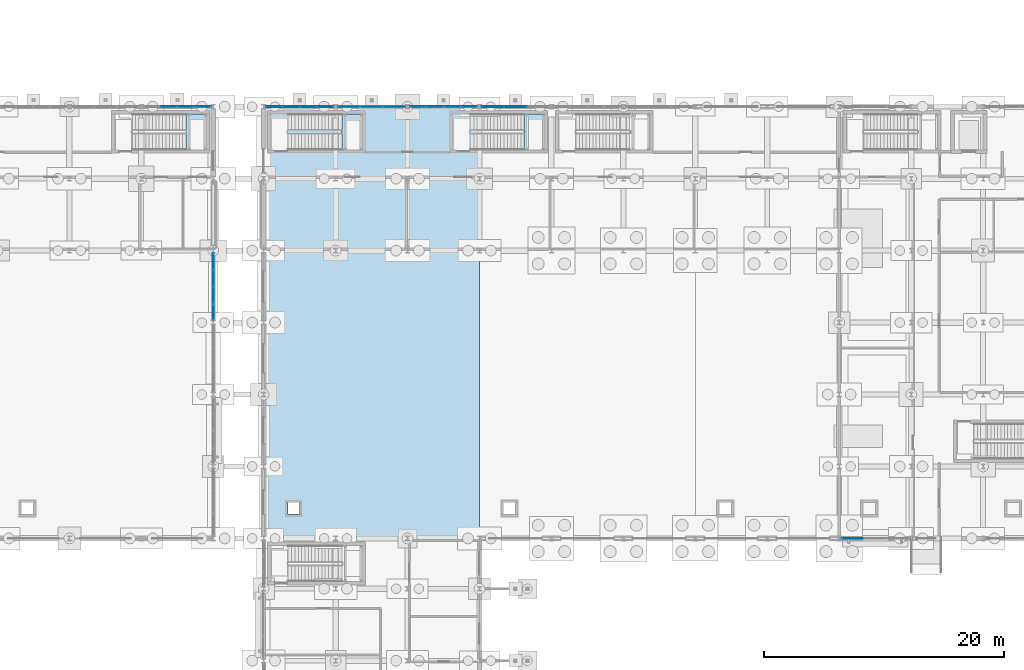
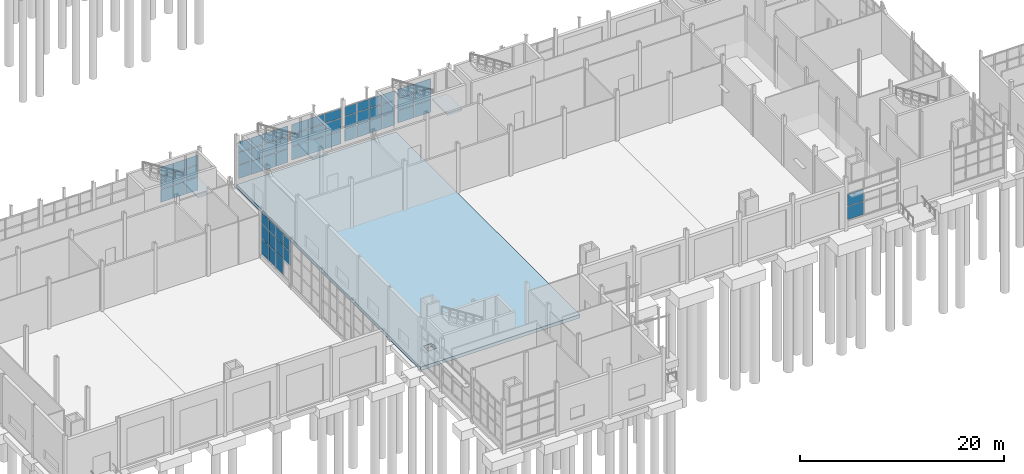
# One storey, part 68 of 120: 61 plates, 4 slabs, 10 elements without a shape of their own.
"""IFC4 building model written with IfcOpenShell, lengths in metres."""

from ifc_helpers import new_model, si_unit, direction, frame, origin, origin_2d, place, context, subcontext, project, spatial, polyline, rectangle, outline, extrude, material, layer, layer_set, type_object, element, aggregate, save


model = new_model("IFC4")

# Units and contexts
model_context = context("Model", 3, precision=1e-05, world=origin(), true_north=direction((0.0, 1.0)))
body_context = subcontext(model_context, "Body", "Model", "MODEL_VIEW")
ifc_project = project(units=[si_unit("LENGTHUNIT", "METRE"), si_unit("AREAUNIT", "SQUARE_METRE"), si_unit("VOLUMEUNIT", "CUBIC_METRE"), si_unit("PLANEANGLEUNIT", "RADIAN"), si_unit("MASSUNIT", "GRAM", prefix="KILO")], contexts=[model_context])

# Site, building, storey
site_placement = place(None, origin())
site = spatial("IfcSite", under=ifc_project, at=site_placement, CompositionType="ELEMENT")
building_placement = place(site_placement, origin())
building = spatial("IfcBuilding", under=site, at=building_placement, Name="Siltcreek Boulevard Central Fire Station", CompositionType="ELEMENT")
storey_placement = place(building_placement, origin())
storey = spatial("IfcBuildingStorey", under=building, at=storey_placement, Name="L01", CompositionType="ELEMENT", Elevation=0.0)

# Curtain wall, plates
ifc_material_1 = material(Name="Anodized aluminum and low-E insulated glazing", Category="aluminium")
curtain_wall_type_1 = type_object("IfcCurtainWallType", Name="CW_SYS_04", PredefinedType="USERDEFINED", material=ifc_material_1)
curtain_wall_1_placement = place(storey_placement, origin())
curtain_wall_1 = element("IfcCurtainWall", 1, at=curtain_wall_1_placement, inside=storey, type_object=curtain_wall_type_1, Name="L01 V1 unitised curtain wall CW-003", ObjectType="CURTAIN WALL", PredefinedType="USERDEFINED")
ifc_material_2 = material(Name="Low-E double insulated glass unit", Category="glass")
ifc_layer_1 = layer(ifc_material_2, 0.028076171875, Name="Low-E double insulated glass unit")
ifc_layer_set_1 = layer_set([ifc_layer_1], Name="Low-E double insulated glass unit")
plate_type_1 = type_object("IfcPlateType", Name="CWP_GLZ_1", PredefinedType="CURTAIN_PANEL", material=ifc_layer_set_1)
plate_1_placement = place(storey_placement, frame((52.888427734375, 54.0, 0.739990234375), z_axis=(0.0, 0.0, 1.0), x_axis=(-1.0, 0.0, 0.0)))
plate_1 = element("IfcPlate", 2, at=plate_1_placement, type_object=plate_type_1, Name="CW-003 panel 1.1", PredefinedType="CURTAIN_PANEL", context=body_context, shape_type="SweptSolid", body=[
    extrude(rectangle(XDim=1.813232421875, YDim=0.028076171875, at=origin_2d()), origin(), (0.0, 0.0, 1.0), 1.56494140625),
])
plate_2_placement = place(storey_placement, frame((52.888427734375, 54.0, 2.36474609375), z_axis=(0.0, 0.0, 1.0), x_axis=(-1.0, 0.0, 0.0)))
plate_2 = element("IfcPlate", 3, at=plate_2_placement, type_object=plate_type_1, Name="CW-003 panel 1.2", PredefinedType="CURTAIN_PANEL", context=body_context, shape_type="SweptSolid", body=[
    extrude(rectangle(XDim=1.813232421875, YDim=0.028076171875, at=origin_2d()), origin(), (0.0, 0.0, 1.0), 1.420654296875),
])
plate_3_placement = place(storey_placement, frame((52.888427734375, 54.0, 3.845703125), z_axis=(0.0, 0.0, 1.0), x_axis=(-1.0, 0.0, 0.0)))
plate_3 = element("IfcPlate", 4, at=plate_3_placement, type_object=plate_type_1, Name="CW-003 panel 1.3", PredefinedType="CURTAIN_PANEL", context=body_context, shape_type="SweptSolid", body=[
    extrude(rectangle(XDim=1.813232421875, YDim=0.028076171875, at=origin_2d()), origin(), (0.0, 0.0, 1.0), 1.12939453125),
])
plate_4_placement = place(storey_placement, frame((51.0, 54.0, 0.739990234375), z_axis=(0.0, 0.0, 1.0), x_axis=(-1.0, 0.0, 0.0)))
plate_4 = element("IfcPlate", 5, at=plate_4_placement, type_object=plate_type_1, Name="CW-003 panel 2.1", PredefinedType="CURTAIN_PANEL", context=body_context, shape_type="SweptSolid", body=[
    extrude(rectangle(XDim=1.84326171875, YDim=0.028076171875, at=origin_2d()), origin(), (0.0, 0.0, 1.0), 1.56494140625),
])
plate_5_placement = place(storey_placement, frame((51.0, 54.0, 2.36474609375), z_axis=(0.0, 0.0, 1.0), x_axis=(-1.0, 0.0, 0.0)))
plate_5 = element("IfcPlate", 6, at=plate_5_placement, type_object=plate_type_1, Name="CW-003 panel 2.2", PredefinedType="CURTAIN_PANEL", context=body_context, shape_type="SweptSolid", body=[
    extrude(rectangle(XDim=1.84326171875, YDim=0.028076171875, at=origin_2d()), origin(), (0.0, 0.0, 1.0), 1.420654296875),
])
plate_6_placement = place(storey_placement, frame((51.0, 54.0, 3.845703125), z_axis=(0.0, 0.0, 1.0), x_axis=(-1.0, 0.0, 0.0)))
plate_6 = element("IfcPlate", 7, at=plate_6_placement, type_object=plate_type_1, Name="CW-003 panel 2.3", PredefinedType="CURTAIN_PANEL", context=body_context, shape_type="SweptSolid", body=[
    extrude(rectangle(XDim=1.84326171875, YDim=0.028076171875, at=origin_2d()), origin(), (0.0, 0.0, 1.0), 1.12939453125),
])
plate_7_placement = place(storey_placement, frame((49.111572265625, 54.0, 0.739990234375), z_axis=(0.0, 0.0, 1.0), x_axis=(-1.0, 0.0, 0.0)))
plate_7 = element("IfcPlate", 8, at=plate_7_placement, type_object=plate_type_1, Name="CW-003 panel 3.1", PredefinedType="CURTAIN_PANEL", context=body_context, shape_type="SweptSolid", body=[
    extrude(rectangle(XDim=1.813232421875, YDim=0.028076171875, at=origin_2d()), origin(), (0.0, 0.0, 1.0), 1.56494140625),
])
plate_8_placement = place(storey_placement, frame((49.111572265625, 54.0, 2.36474609375), z_axis=(0.0, 0.0, 1.0), x_axis=(-1.0, 0.0, 0.0)))
plate_8 = element("IfcPlate", 9, at=plate_8_placement, type_object=plate_type_1, Name="CW-003 panel 3.2", PredefinedType="CURTAIN_PANEL", context=body_context, shape_type="SweptSolid", body=[
    extrude(rectangle(XDim=1.813232421875, YDim=0.028076171875, at=origin_2d()), origin(), (0.0, 0.0, 1.0), 1.420654296875),
])
plate_9_placement = place(storey_placement, frame((49.111572265625, 54.0, 3.845703125), z_axis=(0.0, 0.0, 1.0), x_axis=(-1.0, 0.0, 0.0)))
plate_9 = element("IfcPlate", 10, at=plate_9_placement, type_object=plate_type_1, Name="CW-003 panel 3.3", PredefinedType="CURTAIN_PANEL", context=body_context, shape_type="SweptSolid", body=[
    extrude(rectangle(XDim=1.813232421875, YDim=0.028076171875, at=origin_2d()), origin(), (0.0, 0.0, 1.0), 1.12939453125),
])
aggregate(curtain_wall_1, [plate_1, plate_2, plate_3, plate_4, plate_5, plate_6, plate_7, plate_8, plate_9])

curtain_wall_type_2 = type_object("IfcCurtainWallType", Name="CW_SYS_16", PredefinedType="USERDEFINED", material=ifc_material_1)
curtain_wall_2_placement = place(storey_placement, origin())
curtain_wall_2 = element("IfcCurtainWall", 11, at=curtain_wall_2_placement, inside=storey, type_object=curtain_wall_type_2, Name="L01 V2 unitised curtain wall CW-015", ObjectType="CURTAIN WALL", PredefinedType="USERDEFINED")
plate_10_placement = place(storey_placement, frame((91.111572265625, 18.0, 0.739990234375), z_axis=(0.0, 0.0, 1.0), x_axis=(1.0, 0.0, 0.0)))
plate_10 = element("IfcPlate", 12, at=plate_10_placement, type_object=plate_type_1, Name="CW-015 panel 1.1", PredefinedType="CURTAIN_PANEL", context=body_context, shape_type="SweptSolid", body=[
    extrude(rectangle(XDim=1.813232421875, YDim=0.028076171875, at=origin_2d()), origin(), (0.0, 0.0, 1.0), 1.56494140625),
])
plate_11_placement = place(storey_placement, frame((91.111572265625, 18.0, 2.36474609375), z_axis=(0.0, 0.0, 1.0), x_axis=(1.0, 0.0, 0.0)))
plate_11 = element("IfcPlate", 13, at=plate_11_placement, type_object=plate_type_1, Name="CW-015 panel 1.2", PredefinedType="CURTAIN_PANEL", context=body_context, shape_type="SweptSolid", body=[
    extrude(rectangle(XDim=1.813232421875, YDim=0.028076171875, at=origin_2d()), origin(), (0.0, 0.0, 1.0), 1.420654296875),
])
aggregate(curtain_wall_2, [plate_10, plate_11])

curtain_wall_type_3 = type_object("IfcCurtainWallType", Name="CW_SYS_05", PredefinedType="USERDEFINED", material=ifc_material_1)
curtain_wall_3_placement = place(storey_placement, origin())
curtain_wall_3 = element("IfcCurtainWall", 14, at=curtain_wall_3_placement, inside=storey, type_object=curtain_wall_type_3, Name="L01 V1 unitised curtain wall CW-004", ObjectType="CURTAIN WALL", PredefinedType="USERDEFINED")
ifc_layer_2 = layer(ifc_material_2, 0.0380859375, Name="Low-E double insulated glass unit")
ifc_layer_set_2 = layer_set([ifc_layer_2], Name="Low-E double insulated glass unit")
plate_type_2 = type_object("IfcPlateType", Name="CWP_GLZ_2", PredefinedType="CURTAIN_PANEL", material=ifc_layer_set_2)
plate_12_placement = place(storey_placement, frame((59.125, 54.0, 0.864990234375), z_axis=(0.0, 0.0, 1.0), x_axis=(-1.0, 0.0, 0.0)))
plate_12 = element("IfcPlate", 15, at=plate_12_placement, type_object=plate_type_2, Name="CW-004 panel 1.1", PredefinedType="CURTAIN_PANEL", context=body_context, shape_type="SweptSolid", body=[
    extrude(rectangle(XDim=1.330078125, YDim=0.0380859375, at=origin_2d()), origin(), (0.0, 0.0, 1.0), 1.51171875),
])
plate_13_placement = place(storey_placement, frame((59.125, 54.0, 2.441650390625), z_axis=(0.0, 0.0, 1.0), x_axis=(-1.0, 0.0, 0.0)))
plate_13 = element("IfcPlate", 16, at=plate_13_placement, type_object=plate_type_2, Name="CW-004 panel 1.2", PredefinedType="CURTAIN_PANEL", context=body_context, shape_type="SweptSolid", body=[
    extrude(rectangle(XDim=1.330078125, YDim=0.0380859375, at=origin_2d()), origin(), (0.0, 0.0, 1.0), 1.375),
])
plate_14_placement = place(storey_placement, frame((59.125, 54.0, 3.881591796875), z_axis=(0.0, 0.0, 1.0), x_axis=(-1.0, 0.0, 0.0)))
plate_14 = element("IfcPlate", 17, at=plate_14_placement, type_object=plate_type_2, Name="CW-004 panel 1.3", PredefinedType="CURTAIN_PANEL", context=body_context, shape_type="SweptSolid", body=[
    extrude(rectangle(XDim=1.330078125, YDim=0.0380859375, at=origin_2d()), origin(), (0.0, 0.0, 1.0), 1.08837890625),
])
plate_15_placement = place(storey_placement, frame((57.7138671875, 54.0, 0.864990234375), z_axis=(0.0, 0.0, 1.0), x_axis=(-1.0, 0.0, 0.0)))
plate_15 = element("IfcPlate", 18, at=plate_15_placement, type_object=plate_type_2, Name="CW-004 panel 2.1", PredefinedType="CURTAIN_PANEL", context=body_context, shape_type="SweptSolid", body=[
    extrude(rectangle(XDim=1.362548828125, YDim=0.0380859375, at=origin_2d()), origin(), (0.0, 0.0, 1.0), 1.51171875),
])
plate_16_placement = place(storey_placement, frame((57.7138671875, 54.0, 2.441650390625), z_axis=(0.0, 0.0, 1.0), x_axis=(-1.0, 0.0, 0.0)))
plate_16 = element("IfcPlate", 19, at=plate_16_placement, type_object=plate_type_2, Name="CW-004 panel 2.2", PredefinedType="CURTAIN_PANEL", context=body_context, shape_type="SweptSolid", body=[
    extrude(rectangle(XDim=1.362548828125, YDim=0.0380859375, at=origin_2d()), origin(), (0.0, 0.0, 1.0), 1.375),
])
plate_17_placement = place(storey_placement, frame((57.7138671875, 54.0, 3.881591796875), z_axis=(0.0, 0.0, 1.0), x_axis=(-1.0, 0.0, 0.0)))
plate_17 = element("IfcPlate", 20, at=plate_17_placement, type_object=plate_type_2, Name="CW-004 panel 2.3", PredefinedType="CURTAIN_PANEL", context=body_context, shape_type="SweptSolid", body=[
    extrude(rectangle(XDim=1.362548828125, YDim=0.0380859375, at=origin_2d()), origin(), (0.0, 0.0, 1.0), 1.08837890625),
])
plate_18_placement = place(storey_placement, frame((56.2861328125, 54.0, 0.864990234375), z_axis=(0.0, 0.0, 1.0), x_axis=(-1.0, 0.0, 0.0)))
plate_18 = element("IfcPlate", 21, at=plate_18_placement, type_object=plate_type_2, Name="CW-004 panel 3.1", PredefinedType="CURTAIN_PANEL", context=body_context, shape_type="SweptSolid", body=[
    extrude(rectangle(XDim=1.362548828125, YDim=0.0380859375, at=origin_2d()), origin(), (0.0, 0.0, 1.0), 1.51171875),
])
plate_19_placement = place(storey_placement, frame((56.2861328125, 54.0, 2.441650390625), z_axis=(0.0, 0.0, 1.0), x_axis=(-1.0, 0.0, 0.0)))
plate_19 = element("IfcPlate", 22, at=plate_19_placement, type_object=plate_type_2, Name="CW-004 panel 3.2", PredefinedType="CURTAIN_PANEL", context=body_context, shape_type="SweptSolid", body=[
    extrude(rectangle(XDim=1.362548828125, YDim=0.0380859375, at=origin_2d()), origin(), (0.0, 0.0, 1.0), 1.375),
])
plate_20_placement = place(storey_placement, frame((56.2861328125, 54.0, 3.881591796875), z_axis=(0.0, 0.0, 1.0), x_axis=(-1.0, 0.0, 0.0)))
plate_20 = element("IfcPlate", 23, at=plate_20_placement, type_object=plate_type_2, Name="CW-004 panel 3.3", PredefinedType="CURTAIN_PANEL", context=body_context, shape_type="SweptSolid", body=[
    extrude(rectangle(XDim=1.362548828125, YDim=0.0380859375, at=origin_2d()), origin(), (0.0, 0.0, 1.0), 1.08837890625),
])
plate_21_placement = place(storey_placement, frame((54.875, 54.0, 0.864990234375), z_axis=(0.0, 0.0, 1.0), x_axis=(-1.0, 0.0, 0.0)))
plate_21 = element("IfcPlate", 24, at=plate_21_placement, type_object=plate_type_2, Name="CW-004 panel 4.1", PredefinedType="CURTAIN_PANEL", context=body_context, shape_type="SweptSolid", body=[
    extrude(rectangle(XDim=1.330078125, YDim=0.0380859375, at=origin_2d()), origin(), (0.0, 0.0, 1.0), 1.51171875),
])
plate_22_placement = place(storey_placement, frame((54.875, 54.0, 2.441650390625), z_axis=(0.0, 0.0, 1.0), x_axis=(-1.0, 0.0, 0.0)))
plate_22 = element("IfcPlate", 25, at=plate_22_placement, type_object=plate_type_2, Name="CW-004 panel 4.2", PredefinedType="CURTAIN_PANEL", context=body_context, shape_type="SweptSolid", body=[
    extrude(rectangle(XDim=1.330078125, YDim=0.0380859375, at=origin_2d()), origin(), (0.0, 0.0, 1.0), 1.375),
])
plate_23_placement = place(storey_placement, frame((54.875, 54.0, 3.881591796875), z_axis=(0.0, 0.0, 1.0), x_axis=(-1.0, 0.0, 0.0)))
plate_23 = element("IfcPlate", 26, at=plate_23_placement, type_object=plate_type_2, Name="CW-004 panel 4.3", PredefinedType="CURTAIN_PANEL", context=body_context, shape_type="SweptSolid", body=[
    extrude(rectangle(XDim=1.330078125, YDim=0.0380859375, at=origin_2d()), origin(), (0.0, 0.0, 1.0), 1.08837890625),
])
aggregate(curtain_wall_3, [plate_12, plate_13, plate_14, plate_15, plate_16, plate_17, plate_18, plate_19, plate_20, plate_21, plate_22, plate_23])

curtain_wall_4_placement = place(storey_placement, origin())
curtain_wall_4 = element("IfcCurtainWall", 27, at=curtain_wall_4_placement, inside=storey, type_object=curtain_wall_type_3, Name="L01 V4 unitised curtain wall CW-094", ObjectType="CURTAIN WALL", PredefinedType="USERDEFINED")
plate_24_placement = place(storey_placement, frame((36.925048828125, 54.0, 0.864990234375), z_axis=(0.0, 0.0, 1.0), x_axis=(-1.0, 0.0, 0.0)))
plate_24 = element("IfcPlate", 28, at=plate_24_placement, type_object=plate_type_2, Name="CW-094 panel 1.1", PredefinedType="CURTAIN_PANEL", context=body_context, shape_type="SweptSolid", body=[
    extrude(rectangle(XDim=1.330078125, YDim=0.0380859375, at=origin_2d()), origin(), (0.0, 0.0, 1.0), 1.54150390625),
])
plate_25_placement = place(storey_placement, frame((36.925048828125, 54.0, 2.47119140625), z_axis=(0.0, 0.0, 1.0), x_axis=(-1.0, 0.0, 0.0)))
plate_25 = element("IfcPlate", 29, at=plate_25_placement, type_object=plate_type_2, Name="CW-094 panel 1.2", PredefinedType="CURTAIN_PANEL", context=body_context, shape_type="SweptSolid", body=[
    extrude(rectangle(XDim=1.330078125, YDim=0.0380859375, at=origin_2d()), origin(), (0.0, 0.0, 1.0), 1.401611328125),
])
plate_26_placement = place(storey_placement, frame((36.925048828125, 54.0, 3.93798828125), z_axis=(0.0, 0.0, 1.0), x_axis=(-1.0, 0.0, 0.0)))
plate_26 = element("IfcPlate", 30, at=plate_26_placement, type_object=plate_type_2, Name="CW-094 panel 1.3", PredefinedType="CURTAIN_PANEL", context=body_context, shape_type="SweptSolid", body=[
    extrude(rectangle(XDim=1.330078125, YDim=0.0380859375, at=origin_2d()), origin(), (0.0, 0.0, 1.0), 1.110107421875),
])
plate_27_placement = place(storey_placement, frame((35.513671875, 54.0, 0.864990234375), z_axis=(0.0, 0.0, 1.0), x_axis=(-1.0, 0.0, 0.0)))
plate_27 = element("IfcPlate", 31, at=plate_27_placement, type_object=plate_type_2, Name="CW-094 panel 2.1", PredefinedType="CURTAIN_PANEL", context=body_context, shape_type="SweptSolid", body=[
    extrude(rectangle(XDim=1.362548828125, YDim=0.0380859375, at=origin_2d()), origin(), (0.0, 0.0, 1.0), 1.54150390625),
])
plate_28_placement = place(storey_placement, frame((35.513671875, 54.0, 2.47119140625), z_axis=(0.0, 0.0, 1.0), x_axis=(-1.0, 0.0, 0.0)))
plate_28 = element("IfcPlate", 32, at=plate_28_placement, type_object=plate_type_2, Name="CW-094 panel 2.2", PredefinedType="CURTAIN_PANEL", context=body_context, shape_type="SweptSolid", body=[
    extrude(rectangle(XDim=1.362548828125, YDim=0.0380859375, at=origin_2d()), origin(), (0.0, 0.0, 1.0), 1.401611328125),
])
plate_29_placement = place(storey_placement, frame((35.513671875, 54.0, 3.93798828125), z_axis=(0.0, 0.0, 1.0), x_axis=(-1.0, 0.0, 0.0)))
plate_29 = element("IfcPlate", 33, at=plate_29_placement, type_object=plate_type_2, Name="CW-094 panel 2.3", PredefinedType="CURTAIN_PANEL", context=body_context, shape_type="SweptSolid", body=[
    extrude(rectangle(XDim=1.362548828125, YDim=0.0380859375, at=origin_2d()), origin(), (0.0, 0.0, 1.0), 1.110107421875),
])
plate_30_placement = place(storey_placement, frame((34.086181640625, 54.0, 0.864990234375), z_axis=(0.0, 0.0, 1.0), x_axis=(-1.0, 0.0, 0.0)))
plate_30 = element("IfcPlate", 34, at=plate_30_placement, type_object=plate_type_2, Name="CW-094 panel 3.1", PredefinedType="CURTAIN_PANEL", context=body_context, shape_type="SweptSolid", body=[
    extrude(rectangle(XDim=1.362548828125, YDim=0.0380859375, at=origin_2d()), origin(), (0.0, 0.0, 1.0), 1.54150390625),
])
plate_31_placement = place(storey_placement, frame((34.086181640625, 54.0, 2.47119140625), z_axis=(0.0, 0.0, 1.0), x_axis=(-1.0, 0.0, 0.0)))
plate_31 = element("IfcPlate", 35, at=plate_31_placement, type_object=plate_type_2, Name="CW-094 panel 3.2", PredefinedType="CURTAIN_PANEL", context=body_context, shape_type="SweptSolid", body=[
    extrude(rectangle(XDim=1.362548828125, YDim=0.0380859375, at=origin_2d()), origin(), (0.0, 0.0, 1.0), 1.401611328125),
])
plate_32_placement = place(storey_placement, frame((34.086181640625, 54.0, 3.93798828125), z_axis=(0.0, 0.0, 1.0), x_axis=(-1.0, 0.0, 0.0)))
plate_32 = element("IfcPlate", 36, at=plate_32_placement, type_object=plate_type_2, Name="CW-094 panel 3.3", PredefinedType="CURTAIN_PANEL", context=body_context, shape_type="SweptSolid", body=[
    extrude(rectangle(XDim=1.362548828125, YDim=0.0380859375, at=origin_2d()), origin(), (0.0, 0.0, 1.0), 1.110107421875),
])
aggregate(curtain_wall_4, [plate_24, plate_25, plate_26, plate_27, plate_28, plate_29, plate_30, plate_31, plate_32])

curtain_wall_type_4 = type_object("IfcCurtainWallType", Name="CW_SYS_03", PredefinedType="USERDEFINED", material=ifc_material_1)
curtain_wall_5_placement = place(storey_placement, origin())
curtain_wall_5 = element("IfcCurtainWall", 37, at=curtain_wall_5_placement, inside=storey, type_object=curtain_wall_type_4, Name="L01 V1 unitised curtain wall CW-002", ObjectType="CURTAIN WALL", PredefinedType="USERDEFINED")
ifc_layer_3 = layer(ifc_material_2, 0.048095703125, Name="Low-E double insulated glass unit")
ifc_layer_set_3 = layer_set([ifc_layer_3], Name="Low-E double insulated glass unit")
plate_type_3 = type_object("IfcPlateType", Name="CWP_GLZ_3", PredefinedType="CURTAIN_PANEL", material=ifc_layer_set_3)
plate_33_placement = place(storey_placement, frame((47.125, 54.0, 0.625), z_axis=(0.0, 0.0, 1.0), x_axis=(-1.0, 0.0, 0.0)))
plate_33 = element("IfcPlate", 38, at=plate_33_placement, type_object=plate_type_3, Name="CW-002 panel 1.1", PredefinedType="CURTAIN_PANEL", context=body_context, shape_type="SweptSolid", body=[
    extrude(rectangle(XDim=1.330078125, YDim=0.048095703125, at=origin_2d()), origin(), (0.0, 0.0, 1.0), 1.60302734375),
])
plate_34_placement = place(storey_placement, frame((47.125, 54.0, 2.29296875), z_axis=(0.0, 0.0, 1.0), x_axis=(-1.0, 0.0, 0.0)))
plate_34 = element("IfcPlate", 39, at=plate_34_placement, type_object=plate_type_3, Name="CW-002 panel 1.2", PredefinedType="CURTAIN_PANEL", context=body_context, shape_type="SweptSolid", body=[
    extrude(rectangle(XDim=1.330078125, YDim=0.048095703125, at=origin_2d()), origin(), (0.0, 0.0, 1.0), 1.45654296875),
])
plate_35_placement = place(storey_placement, frame((47.125, 54.0, 3.814453125), z_axis=(0.0, 0.0, 1.0), x_axis=(-1.0, 0.0, 0.0)))
plate_35 = element("IfcPlate", 40, at=plate_35_placement, type_object=plate_type_3, Name="CW-002 panel 1.3", PredefinedType="CURTAIN_PANEL", context=body_context, shape_type="SweptSolid", body=[
    extrude(rectangle(XDim=1.330078125, YDim=0.048095703125, at=origin_2d()), origin(), (0.0, 0.0, 1.0), 1.155517578125),
])
plate_36_placement = place(storey_placement, frame((45.7138671875, 54.0, 0.625), z_axis=(0.0, 0.0, 1.0), x_axis=(-1.0, 0.0, 0.0)))
plate_36 = element("IfcPlate", 41, at=plate_36_placement, type_object=plate_type_3, Name="CW-002 panel 2.1", PredefinedType="CURTAIN_PANEL", context=body_context, shape_type="SweptSolid", body=[
    extrude(rectangle(XDim=1.362548828125, YDim=0.048095703125, at=origin_2d()), origin(), (0.0, 0.0, 1.0), 1.60302734375),
])
plate_37_placement = place(storey_placement, frame((45.7138671875, 54.0, 2.29296875), z_axis=(0.0, 0.0, 1.0), x_axis=(-1.0, 0.0, 0.0)))
plate_37 = element("IfcPlate", 42, at=plate_37_placement, type_object=plate_type_3, Name="CW-002 panel 2.2", PredefinedType="CURTAIN_PANEL", context=body_context, shape_type="SweptSolid", body=[
    extrude(rectangle(XDim=1.362548828125, YDim=0.048095703125, at=origin_2d()), origin(), (0.0, 0.0, 1.0), 1.45654296875),
])
plate_38_placement = place(storey_placement, frame((45.7138671875, 54.0, 3.814453125), z_axis=(0.0, 0.0, 1.0), x_axis=(-1.0, 0.0, 0.0)))
plate_38 = element("IfcPlate", 43, at=plate_38_placement, type_object=plate_type_3, Name="CW-002 panel 2.3", PredefinedType="CURTAIN_PANEL", context=body_context, shape_type="SweptSolid", body=[
    extrude(rectangle(XDim=1.362548828125, YDim=0.048095703125, at=origin_2d()), origin(), (0.0, 0.0, 1.0), 1.155517578125),
])
plate_39_placement = place(storey_placement, frame((44.2861328125, 54.0, 0.625), z_axis=(0.0, 0.0, 1.0), x_axis=(-1.0, 0.0, 0.0)))
plate_39 = element("IfcPlate", 44, at=plate_39_placement, type_object=plate_type_3, Name="CW-002 panel 3.1", PredefinedType="CURTAIN_PANEL", context=body_context, shape_type="SweptSolid", body=[
    extrude(rectangle(XDim=1.362548828125, YDim=0.048095703125, at=origin_2d()), origin(), (0.0, 0.0, 1.0), 1.60302734375),
])
plate_40_placement = place(storey_placement, frame((44.2861328125, 54.0, 2.29296875), z_axis=(0.0, 0.0, 1.0), x_axis=(-1.0, 0.0, 0.0)))
plate_40 = element("IfcPlate", 45, at=plate_40_placement, type_object=plate_type_3, Name="CW-002 panel 3.2", PredefinedType="CURTAIN_PANEL", context=body_context, shape_type="SweptSolid", body=[
    extrude(rectangle(XDim=1.362548828125, YDim=0.048095703125, at=origin_2d()), origin(), (0.0, 0.0, 1.0), 1.45654296875),
])
plate_41_placement = place(storey_placement, frame((44.2861328125, 54.0, 3.814453125), z_axis=(0.0, 0.0, 1.0), x_axis=(-1.0, 0.0, 0.0)))
plate_41 = element("IfcPlate", 46, at=plate_41_placement, type_object=plate_type_3, Name="CW-002 panel 3.3", PredefinedType="CURTAIN_PANEL", context=body_context, shape_type="SweptSolid", body=[
    extrude(rectangle(XDim=1.362548828125, YDim=0.048095703125, at=origin_2d()), origin(), (0.0, 0.0, 1.0), 1.155517578125),
])
plate_42_placement = place(storey_placement, frame((42.875, 54.0, 0.625), z_axis=(0.0, 0.0, 1.0), x_axis=(-1.0, 0.0, 0.0)))
plate_42 = element("IfcPlate", 47, at=plate_42_placement, type_object=plate_type_3, Name="CW-002 panel 4.1", PredefinedType="CURTAIN_PANEL", context=body_context, shape_type="SweptSolid", body=[
    extrude(rectangle(XDim=1.330078125, YDim=0.048095703125, at=origin_2d()), origin(), (0.0, 0.0, 1.0), 1.60302734375),
])
plate_43_placement = place(storey_placement, frame((42.875, 54.0, 2.29296875), z_axis=(0.0, 0.0, 1.0), x_axis=(-1.0, 0.0, 0.0)))
plate_43 = element("IfcPlate", 48, at=plate_43_placement, type_object=plate_type_3, Name="CW-002 panel 4.2", PredefinedType="CURTAIN_PANEL", context=body_context, shape_type="SweptSolid", body=[
    extrude(rectangle(XDim=1.330078125, YDim=0.048095703125, at=origin_2d()), origin(), (0.0, 0.0, 1.0), 1.45654296875),
])
plate_44_placement = place(storey_placement, frame((42.875, 54.0, 3.814453125), z_axis=(0.0, 0.0, 1.0), x_axis=(-1.0, 0.0, 0.0)))
plate_44 = element("IfcPlate", 49, at=plate_44_placement, type_object=plate_type_3, Name="CW-002 panel 4.3", PredefinedType="CURTAIN_PANEL", context=body_context, shape_type="SweptSolid", body=[
    extrude(rectangle(XDim=1.330078125, YDim=0.048095703125, at=origin_2d()), origin(), (0.0, 0.0, 1.0), 1.155517578125),
])
aggregate(curtain_wall_5, [plate_33, plate_34, plate_35, plate_36, plate_37, plate_38, plate_39, plate_40, plate_41, plate_42, plate_43, plate_44])

curtain_wall_type_5 = type_object("IfcCurtainWallType", Name="CW_SYS_06", PredefinedType="USERDEFINED", material=ifc_material_1)
curtain_wall_6_placement = place(storey_placement, origin())
curtain_wall_6 = element("IfcCurtainWall", 50, at=curtain_wall_6_placement, inside=storey, type_object=curtain_wall_type_5, Name="L01 V1 unitised curtain wall CW-005", ObjectType="CURTAIN WALL", PredefinedType="USERDEFINED")
plate_45_placement = place(storey_placement, frame((63.0, 54.0, 0.97998046875), z_axis=(0.0, 0.0, 1.0), x_axis=(-1.0, 0.0, 0.0)))
plate_45 = element("IfcPlate", 51, at=plate_45_placement, type_object=plate_type_3, Name="CW-005 panel 2.1", PredefinedType="CURTAIN_PANEL", context=body_context, shape_type="SweptSolid", body=[
    extrude(rectangle(XDim=1.84326171875, YDim=0.048095703125, at=origin_2d()), origin(), (0.0, 0.0, 1.0), 1.4736328125),
])
plate_46_placement = place(storey_placement, frame((63.0, 54.0, 2.513671875), z_axis=(0.0, 0.0, 1.0), x_axis=(-1.0, 0.0, 0.0)))
plate_46 = element("IfcPlate", 52, at=plate_46_placement, type_object=plate_type_3, Name="CW-005 panel 2.2", PredefinedType="CURTAIN_PANEL", context=body_context, shape_type="SweptSolid", body=[
    extrude(rectangle(XDim=1.84326171875, YDim=0.048095703125, at=origin_2d()), origin(), (0.0, 0.0, 1.0), 1.339111328125),
])
plate_47_placement = place(storey_placement, frame((63.0, 54.0, 3.91259765625), z_axis=(0.0, 0.0, 1.0), x_axis=(-1.0, 0.0, 0.0)))
plate_47 = element("IfcPlate", 53, at=plate_47_placement, type_object=plate_type_3, Name="CW-005 panel 2.3", PredefinedType="CURTAIN_PANEL", context=body_context, shape_type="SweptSolid", body=[
    extrude(rectangle(XDim=1.84326171875, YDim=0.048095703125, at=origin_2d()), origin(), (0.0, 0.0, 1.0), 1.062255859375),
])
plate_48_placement = place(storey_placement, frame((61.111572265625, 54.0, 0.97998046875), z_axis=(0.0, 0.0, 1.0), x_axis=(-1.0, 0.0, 0.0)))
plate_48 = element("IfcPlate", 54, at=plate_48_placement, type_object=plate_type_3, Name="CW-005 panel 3.1", PredefinedType="CURTAIN_PANEL", context=body_context, shape_type="SweptSolid", body=[
    extrude(rectangle(XDim=1.813232421875, YDim=0.048095703125, at=origin_2d()), origin(), (0.0, 0.0, 1.0), 1.4736328125),
])
plate_49_placement = place(storey_placement, frame((61.111572265625, 54.0, 2.513671875), z_axis=(0.0, 0.0, 1.0), x_axis=(-1.0, 0.0, 0.0)))
plate_49 = element("IfcPlate", 55, at=plate_49_placement, type_object=plate_type_3, Name="CW-005 panel 3.2", PredefinedType="CURTAIN_PANEL", context=body_context, shape_type="SweptSolid", body=[
    extrude(rectangle(XDim=1.813232421875, YDim=0.048095703125, at=origin_2d()), origin(), (0.0, 0.0, 1.0), 1.339111328125),
])
plate_50_placement = place(storey_placement, frame((61.111572265625, 54.0, 3.91259765625), z_axis=(0.0, 0.0, 1.0), x_axis=(-1.0, 0.0, 0.0)))
plate_50 = element("IfcPlate", 56, at=plate_50_placement, type_object=plate_type_3, Name="CW-005 panel 3.3", PredefinedType="CURTAIN_PANEL", context=body_context, shape_type="SweptSolid", body=[
    extrude(rectangle(XDim=1.813232421875, YDim=0.048095703125, at=origin_2d()), origin(), (0.0, 0.0, 1.0), 1.062255859375),
])
aggregate(curtain_wall_6, [plate_45, plate_46, plate_47, plate_48, plate_49, plate_50])

curtain_wall_type_6 = type_object("IfcCurtainWallType", Name="CW_SYS_09", PredefinedType="USERDEFINED", material=ifc_material_1)
curtain_wall_7_placement = place(storey_placement, origin())
curtain_wall_7 = element("IfcCurtainWall", 57, at=curtain_wall_7_placement, inside=storey, type_object=curtain_wall_type_6, Name="L01 V4 unitised curtain wall CW-098", ObjectType="CURTAIN WALL", PredefinedType="USERDEFINED")
plate_51_placement = place(storey_placement, frame((37.800048828125, 36.875, 2.51513671875), z_axis=(0.0, 0.0, 1.0), x_axis=(0.0, 1.0, 0.0)))
plate_51 = element("IfcPlate", 58, at=plate_51_placement, type_object=plate_type_3, Name="CW-098 panel 1.2", PredefinedType="CURTAIN_PANEL", context=body_context, shape_type="SweptSolid", body=[
    extrude(rectangle(XDim=1.330078125, YDim=0.048095703125, at=origin_2d()), origin(), (0.0, 0.0, 1.0), 1.655029296875),
])
plate_52_placement = place(storey_placement, frame((37.800048828125, 36.875, 4.23486328125), z_axis=(0.0, 0.0, 1.0), x_axis=(0.0, 1.0, 0.0)))
plate_52 = element("IfcPlate", 59, at=plate_52_placement, type_object=plate_type_3, Name="CW-098 panel 1.3", PredefinedType="CURTAIN_PANEL", context=body_context, shape_type="SweptSolid", body=[
    extrude(rectangle(XDim=1.330078125, YDim=0.048095703125, at=origin_2d()), origin(), (0.0, 0.0, 1.0), 1.319091796875),
])
plate_53_placement = place(storey_placement, frame((37.800048828125, 38.2861328125, 0.625), z_axis=(0.0, 0.0, 1.0), x_axis=(0.0, 1.0, 0.0)))
plate_53 = element("IfcPlate", 60, at=plate_53_placement, type_object=plate_type_3, Name="CW-098 panel 2.1", PredefinedType="CURTAIN_PANEL", context=body_context, shape_type="SweptSolid", body=[
    extrude(rectangle(XDim=1.362548828125, YDim=0.048095703125, at=origin_2d()), origin(), (0.0, 0.0, 1.0), 1.824951171875),
])
plate_54_placement = place(storey_placement, frame((37.800048828125, 38.2861328125, 2.51513671875), z_axis=(0.0, 0.0, 1.0), x_axis=(0.0, 1.0, 0.0)))
plate_54 = element("IfcPlate", 61, at=plate_54_placement, type_object=plate_type_3, Name="CW-098 panel 2.2", PredefinedType="CURTAIN_PANEL", context=body_context, shape_type="SweptSolid", body=[
    extrude(rectangle(XDim=1.362548828125, YDim=0.048095703125, at=origin_2d()), origin(), (0.0, 0.0, 1.0), 1.655029296875),
])
plate_55_placement = place(storey_placement, frame((37.800048828125, 38.2861328125, 4.23486328125), z_axis=(0.0, 0.0, 1.0), x_axis=(0.0, 1.0, 0.0)))
plate_55 = element("IfcPlate", 62, at=plate_55_placement, type_object=plate_type_3, Name="CW-098 panel 2.3", PredefinedType="CURTAIN_PANEL", context=body_context, shape_type="SweptSolid", body=[
    extrude(rectangle(XDim=1.362548828125, YDim=0.048095703125, at=origin_2d()), origin(), (0.0, 0.0, 1.0), 1.319091796875),
])
plate_56_placement = place(storey_placement, frame((37.800048828125, 39.7138671875, 0.625), z_axis=(0.0, 0.0, 1.0), x_axis=(0.0, 1.0, 0.0)))
plate_56 = element("IfcPlate", 63, at=plate_56_placement, type_object=plate_type_3, Name="CW-098 panel 3.1", PredefinedType="CURTAIN_PANEL", context=body_context, shape_type="SweptSolid", body=[
    extrude(rectangle(XDim=1.362548828125, YDim=0.048095703125, at=origin_2d()), origin(), (0.0, 0.0, 1.0), 1.824951171875),
])
plate_57_placement = place(storey_placement, frame((37.800048828125, 39.7138671875, 2.51513671875), z_axis=(0.0, 0.0, 1.0), x_axis=(0.0, 1.0, 0.0)))
plate_57 = element("IfcPlate", 64, at=plate_57_placement, type_object=plate_type_3, Name="CW-098 panel 3.2", PredefinedType="CURTAIN_PANEL", context=body_context, shape_type="SweptSolid", body=[
    extrude(rectangle(XDim=1.362548828125, YDim=0.048095703125, at=origin_2d()), origin(), (0.0, 0.0, 1.0), 1.655029296875),
])
plate_58_placement = place(storey_placement, frame((37.800048828125, 39.7138671875, 4.23486328125), z_axis=(0.0, 0.0, 1.0), x_axis=(0.0, 1.0, 0.0)))
plate_58 = element("IfcPlate", 65, at=plate_58_placement, type_object=plate_type_3, Name="CW-098 panel 3.3", PredefinedType="CURTAIN_PANEL", context=body_context, shape_type="SweptSolid", body=[
    extrude(rectangle(XDim=1.362548828125, YDim=0.048095703125, at=origin_2d()), origin(), (0.0, 0.0, 1.0), 1.319091796875),
])
plate_59_placement = place(storey_placement, frame((37.800048828125, 41.125, 0.625), z_axis=(0.0, 0.0, 1.0), x_axis=(0.0, 1.0, 0.0)))
plate_59 = element("IfcPlate", 66, at=plate_59_placement, type_object=plate_type_3, Name="CW-098 panel 4.1", PredefinedType="CURTAIN_PANEL", context=body_context, shape_type="SweptSolid", body=[
    extrude(rectangle(XDim=1.330078125, YDim=0.048095703125, at=origin_2d()), origin(), (0.0, 0.0, 1.0), 1.824951171875),
])
plate_60_placement = place(storey_placement, frame((37.800048828125, 41.125, 2.51513671875), z_axis=(0.0, 0.0, 1.0), x_axis=(0.0, 1.0, 0.0)))
plate_60 = element("IfcPlate", 67, at=plate_60_placement, type_object=plate_type_3, Name="CW-098 panel 4.2", PredefinedType="CURTAIN_PANEL", context=body_context, shape_type="SweptSolid", body=[
    extrude(rectangle(XDim=1.330078125, YDim=0.048095703125, at=origin_2d()), origin(), (0.0, 0.0, 1.0), 1.655029296875),
])
plate_61_placement = place(storey_placement, frame((37.800048828125, 41.125, 4.23486328125), z_axis=(0.0, 0.0, 1.0), x_axis=(0.0, 1.0, 0.0)))
plate_61 = element("IfcPlate", 68, at=plate_61_placement, type_object=plate_type_3, Name="CW-098 panel 4.3", PredefinedType="CURTAIN_PANEL", context=body_context, shape_type="SweptSolid", body=[
    extrude(rectangle(XDim=1.330078125, YDim=0.048095703125, at=origin_2d()), origin(), (0.0, 0.0, 1.0), 1.319091796875),
])
aggregate(curtain_wall_7, [plate_51, plate_52, plate_53, plate_54, plate_55, plate_56, plate_57, plate_58, plate_59, plate_60, plate_61])

# Slab
ifc_material_3 = material(Name="Concrete C35/45", Category="concrete")
ifc_layer_4 = layer(ifc_material_3, 0.409912109375, Name="Concrete C35/45")
ifc_layer_set_4 = layer_set([ifc_layer_4], Name="Concrete C35/45")
slab_type_1 = type_object("IfcSlabType", Name="SL_BASE350", PredefinedType="BASESLAB", material=ifc_layer_set_4)
slab_1_placement = place(storey_placement, frame((0.0, 0.0, -0.409912109375)))
element("IfcSlab", 69, at=slab_1_placement, inside=storey, type_object=slab_type_1, Name="L01 V1 structural floor slab SL-004", PredefinedType="BASESLAB", context=body_context, shape_type="SweptSolid", body=[
    extrude(outline(polyline([(60.0, 54.0), (60.0, 18.0), (42.0, 18.0), (42.0, 54.0), (60.0, 54.0)]), holes=[polyline([(44.97998046875, 20.97998046875), (44.02001953125, 20.97998046875), (44.02001953125, 20.02001953125), (44.97998046875, 20.02001953125), (44.97998046875, 20.97998046875)])]), origin(), (0.0, 0.0, 1.0), 0.409912109375),
])

# Stair, slab
ifc_material_4 = material(Name="Precast concrete C40/50", Category="concrete")
stair_type = type_object("IfcStairType", Name="ST_DOG_H60", PredefinedType="HALF_TURN_STAIR", material=ifc_material_4)
stair_1_placement = place(storey_placement, origin())
stair_1 = element("IfcStair", 70, at=stair_1_placement, inside=storey, type_object=stair_type, Name="L01 Enclosed exit stairway ST-V4B", PredefinedType="HALF_TURN_STAIR")
ifc_layer_5 = layer(ifc_material_4, 0.199951171875, Name="Precast concrete C40/50")
ifc_layer_set_5 = layer_set([ifc_layer_5], Name="Precast concrete C40/50")
slab_type_2 = type_object("IfcSlabType", Name="SL_LAND200", PredefinedType="LANDING", material=ifc_layer_set_5)
slab_2_placement = place(storey_placement, frame((0.0, 0.0, 2.800048828125)))
slab_2 = element("IfcSlab", 71, at=slab_2_placement, type_object=slab_type_2, Name="ST-V4B landing 1", PredefinedType="LANDING", context=body_context, shape_type="SweptSolid", body=[
    extrude(outline(polyline([(35.530029296875, 50.39990234375), (37.199951171875, 50.39990234375), (37.199951171875, 53.39990234375), (35.530029296875, 53.39990234375), (35.530029296875, 50.39990234375)])), origin(), (0.0, 0.0, 1.0), 0.199951171875),
])
aggregate(stair_1, [slab_2])

stair_2_placement = place(storey_placement, origin())
stair_2 = element("IfcStair", 72, at=stair_2_placement, inside=storey, type_object=stair_type, Name="L01 Enclosed exit stairway ST-V1A", PredefinedType="HALF_TURN_STAIR")
slab_3_placement = place(storey_placement, frame((0.0, 0.0, 2.800048828125)))
slab_3 = element("IfcSlab", 73, at=slab_3_placement, type_object=slab_type_2, Name="ST-V1A landing 1", PredefinedType="LANDING", context=body_context, shape_type="SweptSolid", body=[
    extrude(outline(polyline([(48.530029296875, 50.39990234375), (50.199951171875, 50.39990234375), (50.199951171875, 53.39990234375), (48.530029296875, 53.39990234375), (48.530029296875, 50.39990234375)])), origin(), (0.0, 0.0, 1.0), 0.199951171875),
])
aggregate(stair_2, [slab_3])

stair_3_placement = place(storey_placement, origin())
stair_3 = element("IfcStair", 74, at=stair_3_placement, inside=storey, type_object=stair_type, Name="L01 Enclosed exit stairway ST-V1B", PredefinedType="HALF_TURN_STAIR")
slab_4_placement = place(storey_placement, frame((0.0, 0.0, 2.800048828125)))
slab_4 = element("IfcSlab", 75, at=slab_4_placement, type_object=slab_type_2, Name="ST-V1B landing 1", PredefinedType="LANDING", context=body_context, shape_type="SweptSolid", body=[
    extrude(outline(polyline([(63.72998046875, 50.39990234375), (65.39990234375, 50.39990234375), (65.39990234375, 53.39990234375), (63.72998046875, 53.39990234375), (63.72998046875, 50.39990234375)])), origin(), (0.0, 0.0, 1.0), 0.199951171875),
])
aggregate(stair_3, [slab_4])

save(model, "model.ifc")
